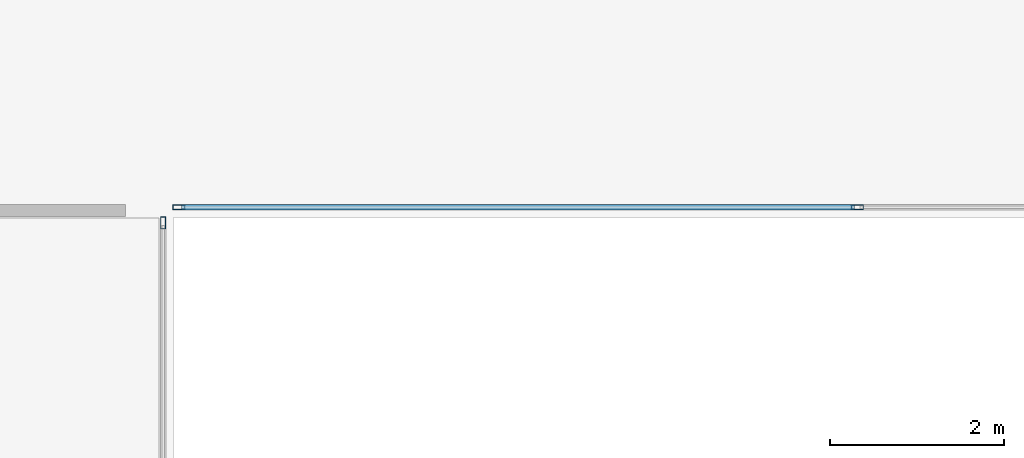
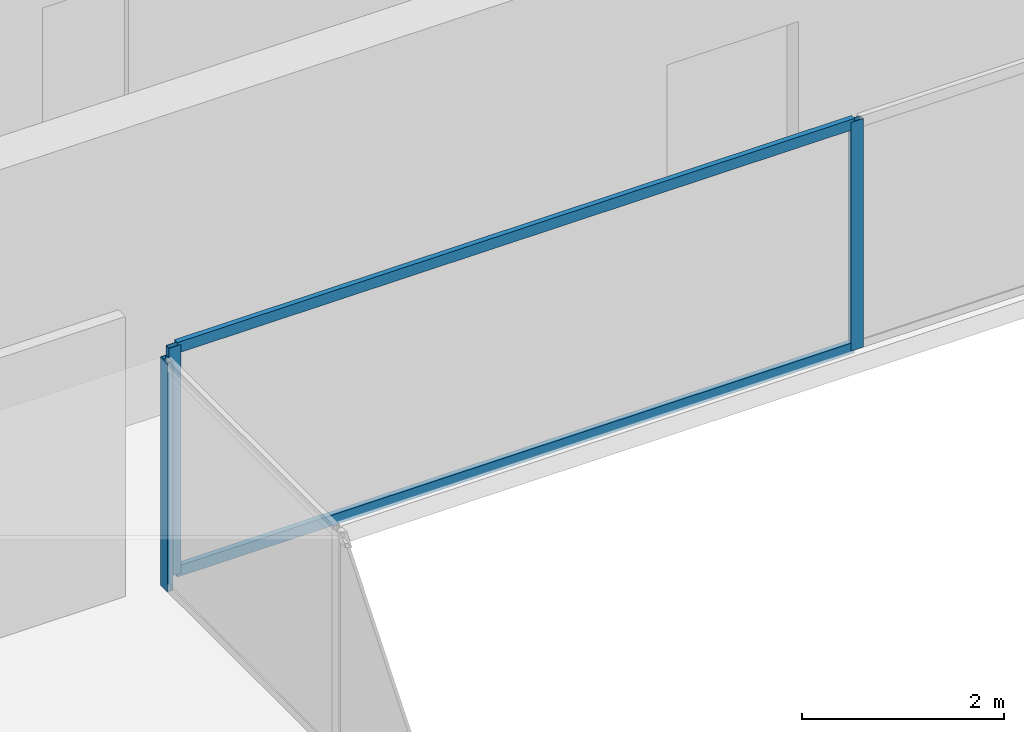
# One storey, part 10 of 29: 5 members, 2 elements without a shape of their own.
"""IFC4 building model written with IfcOpenShell, lengths in metres."""

from ifc_helpers import new_model, si_unit, direction, frame, origin, origin_2d, place, context, subcontext, project, spatial, hollow_rectangle, extrude, source, transform, mapped, material, layer, layer_set, material_profile, profile_set, type_object, element, aggregate, save


model = new_model("IFC4")

# Units and contexts
model_context = context("Model", 3, precision=1e-05, world=origin(), true_north=direction((0.0, 1.0)))
body_context = subcontext(model_context, "Body", "Model", "MODEL_VIEW")
ifc_project = project(units=[si_unit("LENGTHUNIT", "METRE"), si_unit("AREAUNIT", "SQUARE_METRE"), si_unit("VOLUMEUNIT", "CUBIC_METRE"), si_unit("PLANEANGLEUNIT", "RADIAN"), si_unit("MASSUNIT", "GRAM", prefix="KILO")], contexts=[model_context])

# Site, building, storey
site_placement = place(None, origin())
site = spatial("IfcSite", under=ifc_project, at=site_placement, CompositionType="ELEMENT")
building_placement = place(site_placement, origin())
building = spatial("IfcBuilding", under=site, at=building_placement, Name="Sumidabori Civic Tower", CompositionType="ELEMENT")
storey_placement = place(building_placement, frame((0.0, 0.0, 203.60009765625)))
storey = spatial("IfcBuildingStorey", under=building, at=storey_placement, Name="L52", CompositionType="ELEMENT", Elevation=203.60009765625)

# Curtain wall, member
ifc_material = material(Name="Anodised Bronze Aluminium AW-6063-T6", Category="aluminium")
ifc_layer = layer(ifc_material, 0.179931640625, Name="Anodised Bronze Aluminium AW-6063-T6")
ifc_layer_set = layer_set([ifc_layer], Name="Anodised Bronze Aluminium AW-6063-T6")
curtain_wall_type = type_object("IfcCurtainWallType", Name="CW-SYS-4", PredefinedType="NOTDEFINED", material=ifc_layer_set)
curtain_wall_1_placement = place(storey_placement, origin())
curtain_wall_1 = element("IfcCurtainWall", 1, at=curtain_wall_1_placement, inside=storey, type_object=curtain_wall_type, Name="Curtain Wall CW:L52:R04", PredefinedType="NOTDEFINED")
ifc_material_profile_1 = material_profile(ifc_material, hollow_rectangle(XDim=0.06005859375, YDim=0.139892578125, WallThickness=0.0048828125, at=origin_2d()), Name="ALU MULLION 140x60")
ifc_profile_set_1 = profile_set([ifc_material_profile_1], Name="Anodised Bronze Aluminium AW-6063-T6")
member_type_1 = type_object("IfcMemberType", Name="CW-MUL-140", PredefinedType="MULLION", material=ifc_profile_set_1)
shared_shape_1 = source(origin(), body_context, "Body", "SweptSolid", [
    extrude(hollow_rectangle(XDim=0.06005859375, YDim=0.139892578125, WallThickness=0.0048828125, at=origin_2d()), origin(), (0.0, 0.0, 1.0), 2.760009765625),
])
member_1_placement = place(storey_placement, frame((-7.969970703125, 7.340087890625, 0.0), z_axis=(0.0, 0.0, 1.0), x_axis=(-1.0, 0.0, 0.0)))
member_1 = element("IfcMember", 2, at=member_1_placement, type_object=member_type_1, Name="CW-4 mullion 3", PredefinedType="MULLION", context=body_context, shape_type="MappedRepresentation", body=[
    mapped(shared_shape_1, transform((0.0, 0.0, 0.0), x_axis=(1.0, 0.0, 0.0), y_axis=(0.0, 1.0, 0.0), z_axis=(0.0, 0.0, 1.0), scale=1.0)),
])
aggregate(curtain_wall_1, [member_1])

# Curtain wall, members
curtain_wall_2_placement = place(storey_placement, origin())
curtain_wall_2 = element("IfcCurtainWall", 3, at=curtain_wall_2_placement, inside=storey, type_object=curtain_wall_type, Name="Curtain Wall CW:L52:R05", PredefinedType="NOTDEFINED")
member_2_placement = place(storey_placement, frame((-7.7900390625, 7.52001953125, 0.0), z_axis=(0.0, 0.0, 1.0), x_axis=(0.0, 1.0, 0.0)))
member_2 = element("IfcMember", 4, at=member_2_placement, type_object=member_type_1, Name="CW-4 mullion 1", PredefinedType="MULLION", context=body_context, shape_type="MappedRepresentation", body=[
    mapped(shared_shape_1, transform((0.0, 0.0, 0.0), x_axis=(1.0, 0.0, 0.0), y_axis=(0.0, 1.0, 0.0), z_axis=(0.0, 0.0, 1.0), scale=1.0)),
])
member_3_placement = place(storey_placement, frame((0.0, 7.52001953125, 0.0), z_axis=(0.0, 0.0, 1.0), x_axis=(0.0, 1.0, 0.0)))
member_3 = element("IfcMember", 5, at=member_3_placement, type_object=member_type_1, Name="CW-4 mullion 2", PredefinedType="MULLION", context=body_context, shape_type="MappedRepresentation", body=[
    mapped(shared_shape_1, transform((0.0, 0.0, 0.0), x_axis=(1.0, 0.0, 0.0), y_axis=(0.0, 1.0, 0.0), z_axis=(0.0, 0.0, 1.0), scale=1.0)),
])
ifc_material_profile_2 = material_profile(ifc_material, hollow_rectangle(XDim=0.06005859375, YDim=0.1298828125, WallThickness=0.0048828125, at=origin_2d()), Name="ALU TRANSOM 130x60")
ifc_profile_set_2 = profile_set([ifc_material_profile_2], Name="Anodised Bronze Aluminium AW-6063-T6")
member_type_2 = type_object("IfcMemberType", Name="CW-TRN-130", PredefinedType="USERDEFINED", material=ifc_profile_set_2)
shared_shape_2 = source(origin(), body_context, "Body", "SweptSolid", [
    extrude(hollow_rectangle(XDim=0.06005859375, YDim=0.1298828125, WallThickness=0.0048828125, at=origin_2d()), origin(), (0.0, 0.0, 1.0), 7.72998046875),
])
member_4_placement = place(storey_placement, frame((-7.760009765625, 7.52001953125, 0.02978515625), z_axis=(1.0, 0.0, 0.0), x_axis=(0.0, 1.0, 0.0)))
member_4 = element("IfcMember", 6, at=member_4_placement, type_object=member_type_2, Name="CW-4 transom 1.1", ObjectType="TRANSOM", PredefinedType="USERDEFINED", context=body_context, shape_type="MappedRepresentation", body=[
    mapped(shared_shape_2, transform((0.0, 0.0, 0.0), x_axis=(1.0, 0.0, 0.0), y_axis=(0.0, 1.0, 0.0), z_axis=(0.0, 0.0, 1.0), scale=1.0)),
])
member_5_placement = place(storey_placement, frame((-7.760009765625, 7.52001953125, 2.72998046875), z_axis=(1.0, 0.0, 0.0), x_axis=(0.0, 1.0, 0.0)))
member_5 = element("IfcMember", 7, at=member_5_placement, type_object=member_type_2, Name="CW-4 transom 1.2", ObjectType="TRANSOM", PredefinedType="USERDEFINED", context=body_context, shape_type="MappedRepresentation", body=[
    mapped(shared_shape_2, transform((0.0, 0.0, 0.0), x_axis=(1.0, 0.0, 0.0), y_axis=(0.0, 1.0, 0.0), z_axis=(0.0, 0.0, 1.0), scale=1.0)),
])
aggregate(curtain_wall_2, [member_2, member_3, member_4, member_5])

save(model, "model.ifc")
